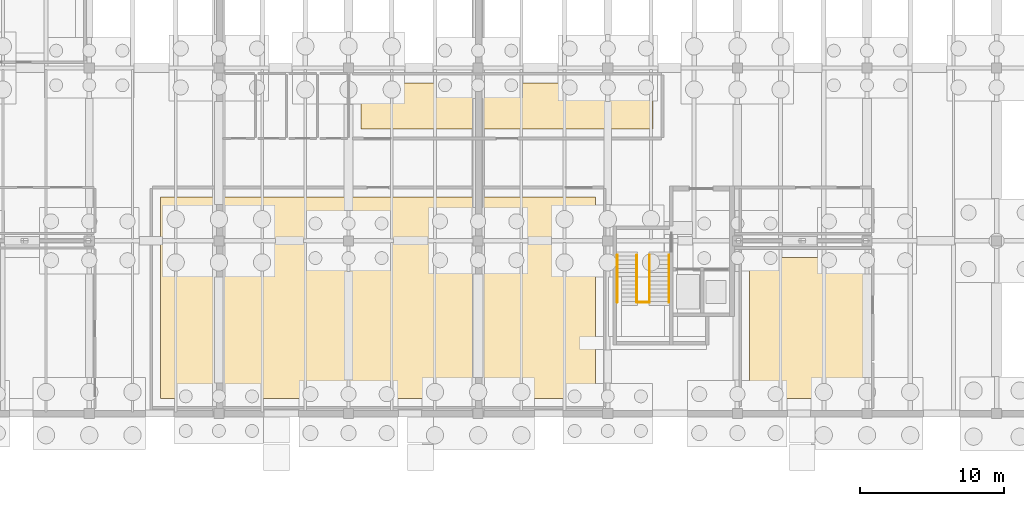
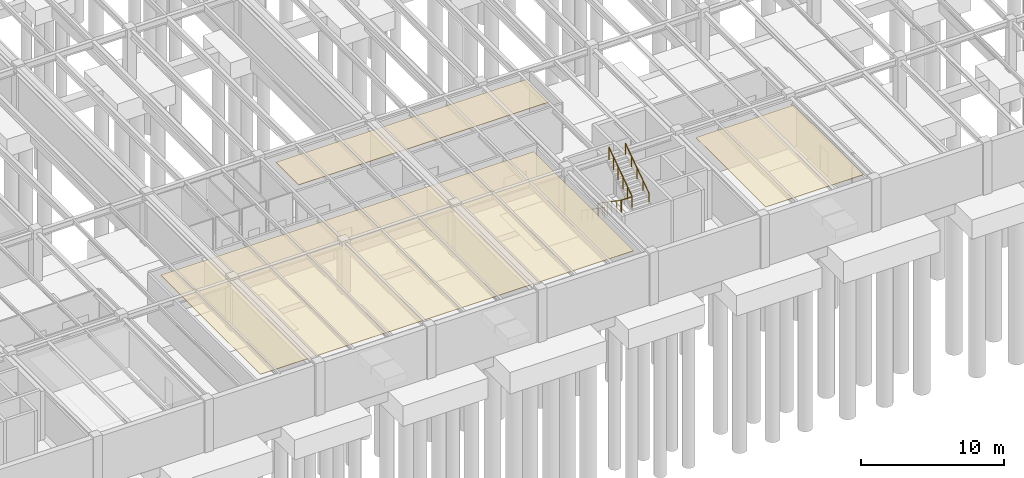
# One storey, part 37 of 40: 5 railings, 3 coverings.
"""IFC4 building model written with IfcOpenShell, lengths in metres."""

import ifcopenshell
import ifcopenshell.guid

model = None  # the IFC model being written
_history = None  # IfcOwnerHistory: only IFC2X3 demands one
_inside = {}  # id of a spatial element -> (the spatial element, [elements in it])
_under = {}  # id of a project, library or spatial element -> (it, [spatial elements below it])
_declared = {}  # id of a project -> (the project, [libraries it declares])
_typed = {}  # id of a type object -> (the type object, [elements of that type])
_made_of = {}  # id of a material, layer set ... -> (it, [elements and type objects made of it])


def new_model(schema):
    """Start an empty IFC model of exactly this schema.

    Asked for "IFC4X3", IfcOpenShell would pick the latest addendum, in which some entities
    have other attributes; the version numbers below select the first issue.
    IFC2X3 requires an IfcOwnerHistory on every rooted entity: one is made here for all.
    """
    global model, _history
    if schema == "IFC4X3":
        model = ifcopenshell.file(schema_version=(4, 3, 0, 0))
    else:
        model = ifcopenshell.file(schema=schema)
    _inside.clear()
    _under.clear()
    _declared.clear()
    _typed.clear()
    _made_of.clear()
    _history = None
    if model.schema == "IFC2X3":
        org = make("IfcOrganization", Name="unknown")
        user = make(
            "IfcPersonAndOrganization",
            ThePerson=make("IfcPerson", FamilyName="unknown"),
            TheOrganization=org,
        )
        app = make(
            "IfcApplication",
            ApplicationDeveloper=org,
            Version="unknown",
            ApplicationFullName="unknown",
            ApplicationIdentifier="unknown",
        )
        _history = make(
            "IfcOwnerHistory",
            OwningUser=user,
            OwningApplication=app,
            ChangeAction="ADDED",
            CreationDate=0,
        )
    return model


def make(cls, **values):
    """One entity of the class cls with the attributes given. An attribute that is None is left unset."""
    return model.create_entity(
        cls, **{name: value for name, value in values.items() if value is not None}
    )


def rooted(cls, **values):
    """An entity with a GlobalId (a new one), such as an element, a storey or a relation."""
    return make(cls, GlobalId=ifcopenshell.guid.new(), OwnerHistory=_history, **values)


def si_unit(unit_type, name, prefix=None):
    """IfcSIUnit, for example si_unit("LENGTHUNIT", "METRE", prefix="MILLI")."""
    return make("IfcSIUnit", UnitType=unit_type, Prefix=prefix, Name=name)


def assignment(units):
    """IfcUnitAssignment: the units of a project."""
    return None if units is None else make("IfcUnitAssignment", Units=units)


def point(xyz):
    """IfcCartesianPoint."""
    return None if xyz is None else make("IfcCartesianPoint", Coordinates=xyz)


def direction(xyz):
    """IfcDirection."""
    return None if xyz is None else make("IfcDirection", DirectionRatios=xyz)


def frame(location, z_axis=None, x_axis=None):
    """IfcAxis2Placement3D, a coordinate frame: its origin and axes. An axis left out is left unset."""
    return make(
        "IfcAxis2Placement3D",
        Location=point(location),
        Axis=direction(z_axis),
        RefDirection=direction(x_axis),
    )


def frame_2d(location, x_axis=None):
    """IfcAxis2Placement2D, a coordinate frame in the plane: its origin and x axis."""
    return make(
        "IfcAxis2Placement2D", Location=point(location), RefDirection=direction(x_axis)
    )


def origin():
    """The frame at (0, 0, 0) with its axes left unset."""
    return frame((0.0, 0.0, 0.0))


def origin_2d():
    """The frame at (0, 0) in the plane with its x axis left unset."""
    return frame_2d((0.0, 0.0))


def place(relative_to, where):
    """IfcLocalPlacement: puts the frame where relative to a parent placement (None: the world)."""
    return make(
        "IfcLocalPlacement", PlacementRelTo=relative_to, RelativePlacement=where
    )


def context(
    kind, dimensions, precision=None, world=None, true_north=None, identifier=None
):
    """IfcGeometricRepresentationContext, for example the 3D "Model" context."""
    return make(
        "IfcGeometricRepresentationContext",
        ContextIdentifier=identifier,
        ContextType=kind,
        CoordinateSpaceDimension=dimensions,
        Precision=precision,
        WorldCoordinateSystem=world,
        TrueNorth=true_north,
    )


def subcontext(parent, identifier, kind, view, scale=None):
    """IfcGeometricRepresentationSubContext, for example "Body" below "Model"."""
    return make(
        "IfcGeometricRepresentationSubContext",
        ContextIdentifier=identifier,
        ContextType=kind,
        ParentContext=parent,
        TargetScale=scale,
        TargetView=view,
    )


def project(units=None, contexts=None):
    """IfcProject with its units and contexts."""
    return rooted(
        "IfcProject",
        Name="project",
        RepresentationContexts=contexts,
        UnitsInContext=assignment(units),
    )


def spatial(cls, under=None, at=None, **own):
    """A site, building, storey or space (cls), placed at a placement, below another one or the project."""
    s = rooted(cls, ObjectPlacement=at, **own)
    if under is not None:
        _under.setdefault(under.id(), (under, []))[1].append(s)
    return s


def polyline(points):
    """IfcPolyline through the points."""
    return make("IfcPolyline", Points=[point(p) for p in points])


def profile(cls, at=None, kind="AREA", **sizes):
    """A parametric profile (cls). Its sizes go by their IFC names, for example OverallWidth=200.0."""
    return make(cls, ProfileType=kind, Position=at, **sizes)


def circle(**sizes):
    """IfcCircleProfileDef."""
    return profile("IfcCircleProfileDef", **sizes)


def outline(outer, holes=None, kind="AREA"):
    """IfcArbitraryClosedProfileDef: a profile drawn as a closed curve; with holes, ...WithVoids."""
    if holes is None:
        return make("IfcArbitraryClosedProfileDef", ProfileType=kind, OuterCurve=outer)
    return make(
        "IfcArbitraryProfileDefWithVoids",
        ProfileType=kind,
        OuterCurve=outer,
        InnerCurves=holes,
    )


def extrude(swept, where, along, depth):
    """IfcExtrudedAreaSolid: the profile swept, set in the frame where, extruded along a direction by depth."""
    return make(
        "IfcExtrudedAreaSolid",
        SweptArea=swept,
        Position=where,
        ExtrudedDirection=direction(along),
        Depth=depth,
    )


def shape(context_of_items, identifier, shape_type, items):
    """IfcShapeRepresentation: the items that make up one representation, for example the "Body"."""
    return make(
        "IfcShapeRepresentation",
        ContextOfItems=context_of_items,
        RepresentationIdentifier=identifier,
        RepresentationType=shape_type,
        Items=items,
    )


def material(Name=None, Category=None):
    """IfcMaterial."""
    return make("IfcMaterial", Name=Name, Category=Category)


def layer(
    of_material, thickness, ventilated=None, Name=None, Category=None, Priority=None
):
    """IfcMaterialLayer: one layer of a wall or slab, of a material (None: an air gap)."""
    return make(
        "IfcMaterialLayer",
        Material=of_material,
        LayerThickness=thickness,
        IsVentilated=ventilated,
        Name=Name,
        Category=Category,
        Priority=Priority,
    )


def layer_set(layers, Name=None):
    """IfcMaterialLayerSet."""
    return make("IfcMaterialLayerSet", MaterialLayers=layers, LayerSetName=Name)


def made_of(thing, what):
    """Note that an element or type object is made of a material, layer set ...; save() writes the relation."""
    if what is not None:
        _made_of.setdefault(what.id(), (what, []))[1].append(thing)
    return thing


def type_object(cls, material=None, **own):
    """A type object (cls), such as IfcWallType, which elements share."""
    return made_of(rooted(cls, **own), material)


def element(
    cls,
    number,
    at=None,
    inside=None,
    cuts=None,
    type_object=None,
    material=None,
    context=None,
    identifier="Body",
    shape_type=None,
    held_by="IfcProductDefinitionShape",
    body=None,
    shapes=None,
    **own,
):
    """One element of the class cls, such as IfcWall. Its Tag is "e" and its number.

    at: its placement. inside: the storey or other place that contains it. cuts: it is an
    opening in that element (IfcRelVoidsElement). A single representation is given by context,
    identifier, shape_type and body (its items); several are given by shapes. held_by: the class
    of the entity that holds the representations. save() writes the other relations.
    """
    e = rooted(cls, Tag="e%d" % number, ObjectPlacement=at, **own)
    if body is not None:
        shapes = [shape(context, identifier, shape_type, body)]
    if shapes is not None:
        e.Representation = make(held_by, Representations=shapes)
    if inside is not None:
        _inside.setdefault(inside.id(), (inside, []))[1].append(e)
    if cuts is not None:
        rooted(
            "IfcRelVoidsElement", RelatingBuildingElement=cuts, RelatedOpeningElement=e
        )
    if type_object is not None:
        _typed.setdefault(type_object.id(), (type_object, []))[1].append(e)
    return made_of(e, material)


def aggregate(whole, parts):
    """IfcRelAggregates: a whole, such as a stair, and the parts it consists of."""
    return rooted("IfcRelAggregates", RelatingObject=whole, RelatedObjects=parts)


def save(model, path):
    """Write the relations noted so far, then the file.

    IfcRelAggregates (storeys below a building ...), IfcRelContainedInSpatialStructure (elements
    in a storey), IfcRelDefinesByType, IfcRelAssociatesMaterial and IfcRelDeclares: one each for
    every whole, place, type object, material and project.
    """
    for whole, parts in _under.values():
        aggregate(whole, parts)
    for where, things in _inside.values():
        rooted(
            "IfcRelContainedInSpatialStructure",
            RelatedElements=things,
            RelatingStructure=where,
        )
    for kind, things in _typed.values():
        rooted("IfcRelDefinesByType", RelatedObjects=things, RelatingType=kind)
    for what, things in _made_of.values():
        rooted("IfcRelAssociatesMaterial", RelatedObjects=things, RelatingMaterial=what)
    for by, libraries in _declared.values():
        rooted("IfcRelDeclares", RelatingContext=by, RelatedDefinitions=libraries)
    model.write(path)


model = new_model("IFC4")

# Units and contexts
model_context = context("Model", 3, precision=1e-05, world=origin(), true_north=direction((0.0, 1.0)))
body_context = subcontext(model_context, "Body", "Model", "MODEL_VIEW")
ifc_project = project(units=[si_unit("LENGTHUNIT", "METRE"), si_unit("AREAUNIT", "SQUARE_METRE"), si_unit("VOLUMEUNIT", "CUBIC_METRE"), si_unit("PLANEANGLEUNIT", "RADIAN"), si_unit("MASSUNIT", "GRAM", prefix="KILO")], contexts=[model_context])

# Site, building, storey
site_placement = place(None, origin())
site = spatial("IfcSite", under=ifc_project, at=site_placement, CompositionType="ELEMENT")
building_placement = place(site_placement, origin())
building = spatial("IfcBuilding", under=site, at=building_placement, Name="Montelvaro Courts of Justice", CompositionType="ELEMENT")
storey_placement = place(building_placement, frame((0.0, 0.0, -4.5)))
storey = spatial("IfcBuildingStorey", under=building, at=storey_placement, Name="B01", CompositionType="ELEMENT", Elevation=-4.5)

# Coverings
ifc_material_1 = material(Name="Perforated acoustic gypsum ceiling")
ifc_layer = layer(ifc_material_1, 0.0400390625)
ifc_layer_set = layer_set([ifc_layer], Name="Perforated acoustic gypsum ceiling")
covering_type = type_object("IfcCoveringType", Name="AcousticCeiling_Court", PredefinedType="CEILING", material=ifc_layer_set)
covering_1_placement = place(storey_placement, frame((0.0, 0.0, 4.02001953125)))
element("IfcCovering", 1, at=covering_1_placement, inside=storey, type_object=covering_type, Name="Acoustic Ceiling Panel AC-01 (B01-26)", PredefinedType="CEILING", context=body_context, shape_type="SweptSolid", body=[
    extrude(outline(polyline([(107.14990234375, 15.050048828125), (107.14990234375, 1.050048828125), (76.949951171875, 1.050048828125), (76.949951171875, 15.050048828125), (107.14990234375, 15.050048828125)])), origin(), (0.0, 0.0, 1.0), 0.0400390625),
])
covering_2_placement = place(storey_placement, frame((0.0, 0.0, 4.02001953125)))
element("IfcCovering", 2, at=covering_2_placement, inside=storey, type_object=covering_type, Name="Acoustic Ceiling Panel AC-01 (B01-27)", PredefinedType="CEILING", context=body_context, shape_type="SweptSolid", body=[
    extrude(outline(polyline([(125.75, 1.050048828125), (117.85009765625, 1.050048828125), (117.85009765625, 10.85009765625), (125.75, 10.85009765625), (125.75, 1.050048828125)])), origin(), (0.0, 0.0, 1.0), 0.0400390625),
])
covering_3_placement = place(storey_placement, frame((0.0, 0.0, 4.02001953125)))
element("IfcCovering", 3, at=covering_3_placement, inside=storey, type_object=covering_type, Name="Acoustic Ceiling Panel AC-01 (B01-35)", PredefinedType="CEILING", context=body_context, shape_type="SweptSolid", body=[
    extrude(outline(polyline([(111.14990234375, 19.75), (90.85009765625, 19.75), (90.85009765625, 22.949951171875), (111.14990234375, 22.949951171875), (111.14990234375, 19.75)])), origin(), (0.0, 0.0, 1.0), 0.0400390625),
])

# Railings
ifc_material_2 = material(Name="Steel S355", Category="steel")
railing_type_1 = type_object("IfcRailingType", Name="InteriorGuard_1100", PredefinedType="BALUSTRADE", material=ifc_material_2)
railing_1_placement = place(storey_placement, frame((110.010009765625, 11.0, 0.0)))
element("IfcRailing", 4, at=railing_1_placement, inside=storey, type_object=railing_type_1, Name="Stair Well Guard GR-02 ST-K2-B01-F1G", PredefinedType="BALUSTRADE", context=body_context, shape_type="SweptSolid", body=[
    extrude(circle(Radius=0.02392578125, at=origin_2d()), frame((0.0, 0.0, 1.076171875), z_axis=(0.0, -0.823407228882, 0.567450910146), x_axis=(1.0, 0.0, 0.0)), (0.0, 0.0, 1.0), 3.965087890625),
    extrude(circle(Radius=0.02099609375, at=origin_2d()), origin(), (0.0, 0.0, 1.0), 1.052001953125),
    extrude(circle(Radius=0.02099609375, at=origin_2d()), frame((0.0, -0.653076171875, 0.449951171875)), (0.0, 0.0, 1.0), 1.052001953125),
    extrude(circle(Radius=0.02099609375, at=origin_2d()), frame((0.0, -1.305908203125, 0.89990234375)), (0.0, 0.0, 1.0), 1.052001953125),
    extrude(circle(Radius=0.02099609375, at=origin_2d()), frame((0.0, -1.958984375, 1.35009765625)), (0.0, 0.0, 1.0), 1.052001953125),
    extrude(circle(Radius=0.02099609375, at=origin_2d()), frame((0.0, -2.61181640625, 1.800048828125)), (0.0, 0.0, 1.0), 1.052001953125),
    extrude(circle(Radius=0.02099609375, at=origin_2d()), frame((0.0, -3.264892578125, 2.25)), (0.0, 0.0, 1.0), 1.052001953125),
])
railing_2_placement = place(storey_placement, frame((110.889892578125, 7.735107421875, 2.25)))
element("IfcRailing", 5, at=railing_2_placement, inside=storey, type_object=railing_type_1, Name="Stair Well Guard GR-02 ST-K2-B01-F2G", PredefinedType="BALUSTRADE", context=body_context, shape_type="SweptSolid", body=[
    extrude(circle(Radius=0.02392578125, at=origin_2d()), frame((0.0, 0.0, 1.076171875), z_axis=(0.0, 0.823407228882, 0.567450910146), x_axis=(-1.0, 0.0, 0.0)), (0.0, 0.0, 1.0), 3.965087890625),
    extrude(circle(Radius=0.02099609375, at=origin_2d()), origin(), (0.0, 0.0, 1.0), 1.052001953125),
    extrude(circle(Radius=0.02099609375, at=origin_2d()), frame((0.0, 0.653076171875, 0.449951171875)), (0.0, 0.0, 1.0), 1.052001953125),
    extrude(circle(Radius=0.02099609375, at=origin_2d()), frame((0.0, 1.305908203125, 0.89990234375)), (0.0, 0.0, 1.0), 1.052001953125),
    extrude(circle(Radius=0.02099609375, at=origin_2d()), frame((0.0, 1.958984375, 1.35009765625)), (0.0, 0.0, 1.0), 1.052001953125),
    extrude(circle(Radius=0.02099609375, at=origin_2d()), frame((0.0, 2.61181640625, 1.800048828125)), (0.0, 0.0, 1.0), 1.052001953125),
    extrude(circle(Radius=0.02099609375, at=origin_2d()), frame((0.0, 3.264892578125, 2.25)), (0.0, 0.0, 1.0), 1.052001953125),
])
railing_3_placement = place(storey_placement, frame((110.010009765625, 7.735107421875, 2.25)))
element("IfcRailing", 6, at=railing_3_placement, inside=storey, type_object=railing_type_1, Name="Stair Well Guard GR-02 ST-K2-B01-MLG", PredefinedType="BALUSTRADE", context=body_context, shape_type="SweptSolid", body=[
    extrude(circle(Radius=0.02392578125, at=origin_2d()), frame((0.0, 0.0, 1.076171875), z_axis=(1.0, 0.0, 0.0), x_axis=(0.0, 1.0, 0.0)), (0.0, 0.0, 1.0), 0.8798828125),
    extrude(circle(Radius=0.02099609375, at=origin_2d()), origin(), (0.0, 0.0, 1.0), 1.052001953125),
    extrude(circle(Radius=0.02099609375, at=origin_2d()), frame((0.8798828125, 0.0, 0.0)), (0.0, 0.0, 1.0), 1.052001953125),
])
ifc_material_3 = material(Name="Austenitic stainless steel EN 1.4401", Category="steel")
railing_type_2 = type_object("IfcRailingType", Name="StairHandrail_950", PredefinedType="HANDRAIL", material=ifc_material_3)
railing_4_placement = place(storey_placement, frame((108.659912109375, 11.0, 0.0)))
element("IfcRailing", 7, at=railing_4_placement, inside=storey, type_object=railing_type_2, Name="Stair Pitch Handrail HR-01 ST-K2-B01-F1H", PredefinedType="HANDRAIL", context=body_context, shape_type="SweptSolid", body=[
    extrude(circle(Radius=0.02392578125, at=origin_2d()), frame((0.0, 0.0, 0.92578125), z_axis=(0.0, -0.823407228882, 0.567450910146), x_axis=(1.0, 0.0, 0.0)), (0.0, 0.0, 1.0), 3.965087890625),
    extrude(circle(Radius=0.02099609375, at=origin_2d()), origin(), (0.0, 0.0, 1.0), 0.90185546875),
    extrude(circle(Radius=0.02099609375, at=origin_2d()), frame((0.0, -0.816162109375, 0.5625)), (0.0, 0.0, 1.0), 0.90185546875),
    extrude(circle(Radius=0.02099609375, at=origin_2d()), frame((0.0, -1.63232421875, 1.125)), (0.0, 0.0, 1.0), 0.90185546875),
    extrude(circle(Radius=0.02099609375, at=origin_2d()), frame((0.0, -2.44873046875, 1.6875)), (0.0, 0.0, 1.0), 0.90185546875),
    extrude(circle(Radius=0.02099609375, at=origin_2d()), frame((0.0, -3.264892578125, 2.25)), (0.0, 0.0, 1.0), 0.90185546875),
])
railing_5_placement = place(storey_placement, frame((112.239990234375, 7.735107421875, 2.25)))
element("IfcRailing", 8, at=railing_5_placement, inside=storey, type_object=railing_type_2, Name="Stair Pitch Handrail HR-01 ST-K2-B01-F2H", PredefinedType="HANDRAIL", context=body_context, shape_type="SweptSolid", body=[
    extrude(circle(Radius=0.02392578125, at=origin_2d()), frame((0.0, 0.0, 0.92578125), z_axis=(0.0, 0.823407228882, 0.567450910146), x_axis=(-1.0, 0.0, 0.0)), (0.0, 0.0, 1.0), 3.965087890625),
    extrude(circle(Radius=0.02099609375, at=origin_2d()), origin(), (0.0, 0.0, 1.0), 0.90185546875),
    extrude(circle(Radius=0.02099609375, at=origin_2d()), frame((0.0, 0.816162109375, 0.5625)), (0.0, 0.0, 1.0), 0.90185546875),
    extrude(circle(Radius=0.02099609375, at=origin_2d()), frame((0.0, 1.63232421875, 1.125)), (0.0, 0.0, 1.0), 0.90185546875),
    extrude(circle(Radius=0.02099609375, at=origin_2d()), frame((0.0, 2.44873046875, 1.6875)), (0.0, 0.0, 1.0), 0.90185546875),
    extrude(circle(Radius=0.02099609375, at=origin_2d()), frame((0.0, 3.264892578125, 2.25)), (0.0, 0.0, 1.0), 0.90185546875),
])

save(model, "model.ifc")
